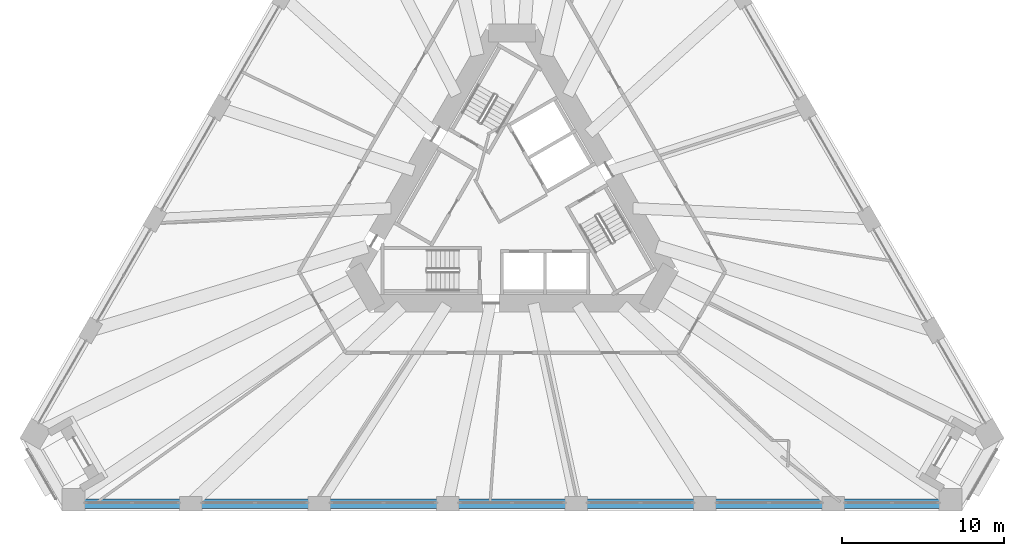
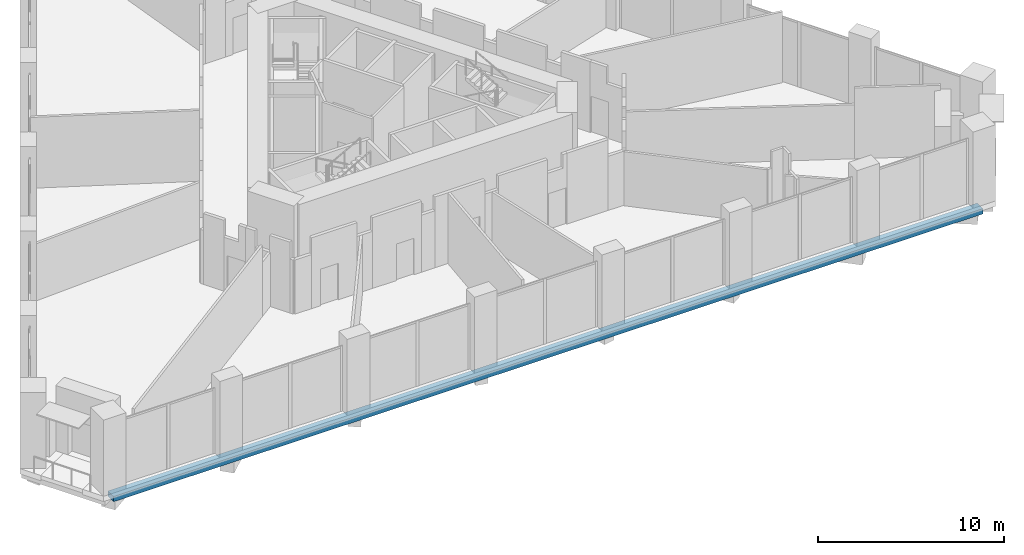
# One storey, part 3 of 20: 1 beam.
"""IFC4 building model written with IfcOpenShell, lengths in metres."""

from ifc_helpers import new_model, si_unit, direction, frame, origin, origin_2d, place, context, subcontext, project, spatial, rectangle, extrude, material, material_profile, profile_set, type_object, element, save


model = new_model("IFC4")

# Units and contexts
model_context = context("Model", 3, precision=1e-05, world=origin(), true_north=direction((0.0, 1.0)))
body_context = subcontext(model_context, "Body", "Model", "MODEL_VIEW")
ifc_project = project(units=[si_unit("LENGTHUNIT", "METRE"), si_unit("AREAUNIT", "SQUARE_METRE"), si_unit("VOLUMEUNIT", "CUBIC_METRE"), si_unit("PLANEANGLEUNIT", "RADIAN"), si_unit("MASSUNIT", "GRAM", prefix="KILO")], contexts=[model_context])

# Site, building, storey
site_placement = place(None, origin())
site = spatial("IfcSite", under=ifc_project, at=site_placement, CompositionType="ELEMENT")
building_placement = place(site_placement, origin())
building = spatial("IfcBuilding", under=site, at=building_placement, Name="Tramontana Tower", CompositionType="ELEMENT")
storey_placement = place(building_placement, frame((0.0, 0.0, 20.0)))
storey = spatial("IfcBuildingStorey", under=building, at=storey_placement, Name="L03", CompositionType="ELEMENT", Elevation=20.0)

# Beam
ifc_material = material(Name="Concrete 40 MPa", Category="concrete")
ifc_material_profile = material_profile(ifc_material, rectangle(XDim=0.60009765625, YDim=0.35009765625, at=origin_2d()), Name="RC EDGE BEAM 600X350 40 MPa")
ifc_profile_set = profile_set([ifc_material_profile], Name="Concrete 40 MPa")
beam_type = type_object("IfcBeamType", Name="RC EDGE BEAM 600X350 40 MPa", PredefinedType="SPANDREL", material=ifc_profile_set)
beam_placement = place(storey_placement, frame((-27.0126953125, -18.550048828125, -0.52490234375), z_axis=(1.0, 0.0, 0.0), x_axis=(0.0, 1.0, 0.0)))
element("IfcBeam", 1, at=beam_placement, inside=storey, type_object=beam_type, Name="Spandrel beam S1 L03", PredefinedType="SPANDREL", context=body_context, shape_type="SweptSolid", body=[
    extrude(rectangle(XDim=0.60009765625, YDim=0.35009765625, at=origin_2d()), origin(), (0.0, 0.0, 1.0), 54.025390625),
])

save(model, "model.ifc")
